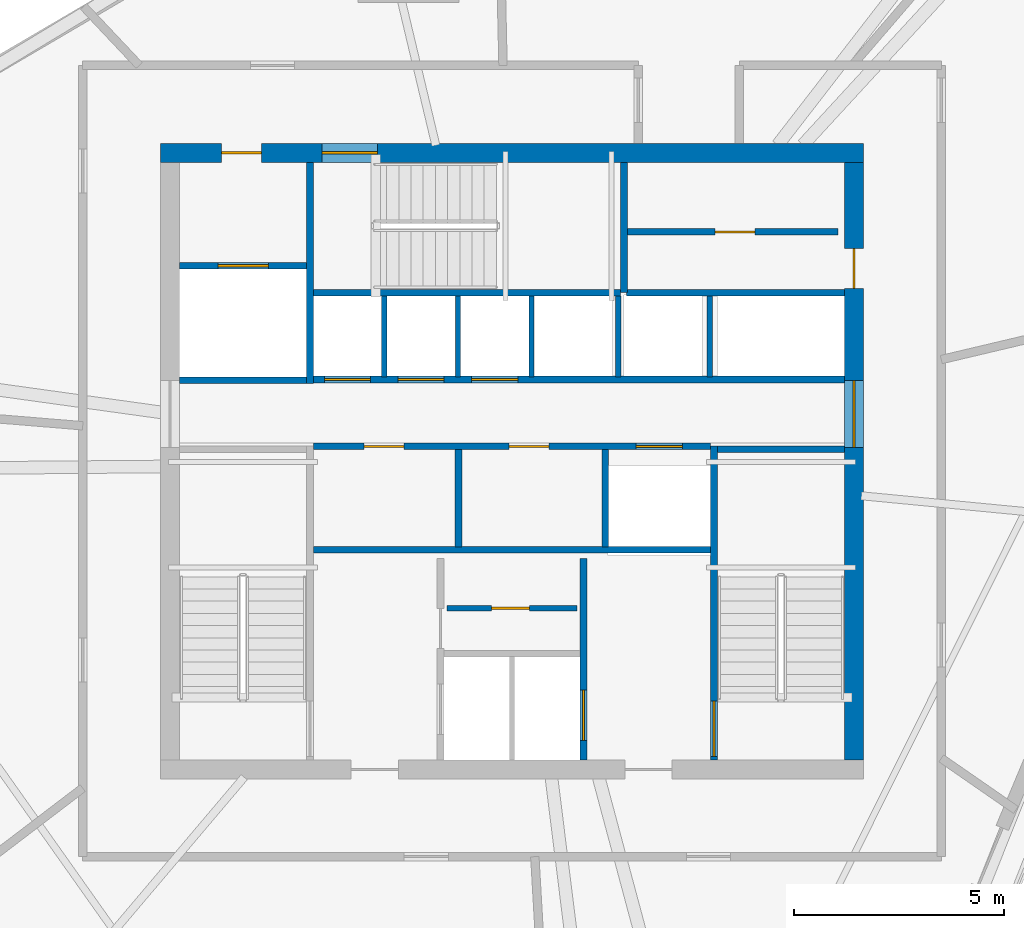
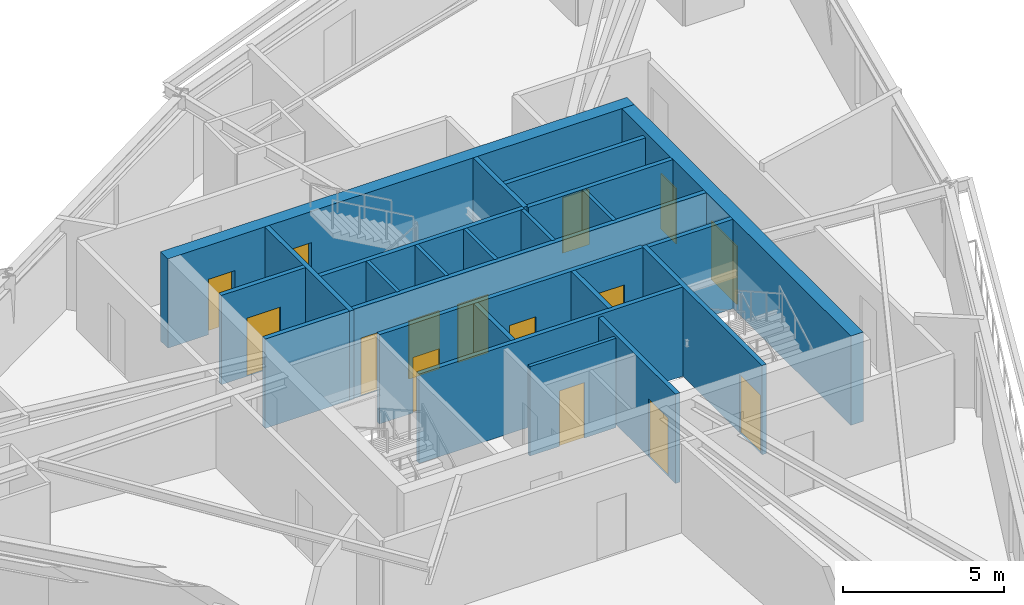
# One storey, part 9 of 14: 23 walls, 15 doors, 15 openings.
"""IFC4 building model written with IfcOpenShell, lengths in metres."""

from ifc_helpers import new_model, si_unit, direction, frame, frame_2d, origin, place, context, subcontext, project, spatial, rectangle, extrude, source, transform, mapped, material, layer, layer_set, type_object, type_shapes, element, fill, save


model = new_model("IFC4")

# Units and contexts
model_context = context("Model", 3, precision=1e-05, world=origin(), true_north=direction((0.0, 1.0)))
body_context = subcontext(model_context, "Body", "Model", "MODEL_VIEW")
ifc_project = project(units=[si_unit("LENGTHUNIT", "METRE"), si_unit("AREAUNIT", "SQUARE_METRE"), si_unit("VOLUMEUNIT", "CUBIC_METRE"), si_unit("PLANEANGLEUNIT", "RADIAN"), si_unit("MASSUNIT", "GRAM", prefix="KILO")], contexts=[model_context])

# Site, building, storey
site_placement = place(None, origin())
site = spatial("IfcSite", under=ifc_project, at=site_placement, CompositionType="ELEMENT")
building_placement = place(site_placement, origin())
building = spatial("IfcBuilding", under=site, at=building_placement, Name="Olszyna Solenne Hotel", CompositionType="ELEMENT")
storey_placement = place(building_placement, frame((0.0, 0.0, 234.5)))
storey = spatial("IfcBuildingStorey", under=building, at=storey_placement, Name="L62", CompositionType="ELEMENT", Elevation=234.5)

# Wall, openings, doors
ifc_material_1 = material(Name="Concrete C50/60", Category="concrete")
ifc_layer_1 = layer(ifc_material_1, 0.449951171875, Name="Concrete C50/60")
ifc_layer_set_1 = layer_set([ifc_layer_1], Name="Concrete C50/60")
wall_type_1 = type_object("IfcWallType", Name="WL-CR450", PredefinedType="SHEAR", material=ifc_layer_set_1)
wall_1_placement = place(storey_placement, frame((29.64990234375, 33.925048828125, 0.0), z_axis=(0.0, 0.0, 1.0), x_axis=(1.0, 0.0, 0.0)))
wall_1 = element("IfcWall", 1, at=wall_1_placement, inside=storey, type_object=wall_type_1, Name="Core shear wall WL-CR450 CRW-L62-N", PredefinedType="SHEAR", context=body_context, shape_type="SweptSolid", body=[
    extrude(rectangle(XDim=16.7001953125, YDim=0.449951171875, at=frame_2d((8.35009765625, 0.0))), origin(), (0.0, 0.0, 1.0), 3.3798828125),
])
opening_1_placement = place(wall_1_placement, frame((1.449951171875, 0.0, 0.0)))
opening_1 = element("IfcOpeningElement", 2, at=opening_1_placement, cuts=wall_1, Name="Opening SVD-L62-01", PredefinedType="OPENING", context=body_context, shape_type="SweptSolid", body=[
    extrude(rectangle(XDim=0.949951171875, YDim=2.10009765625, at=frame_2d((0.47509765625, 1.050048828125))), frame((0.0, 0.23486328125, 0.0), z_axis=(0.0, -1.0, 0.0), x_axis=(1.0, 0.0, 0.0)), (0.0, 0.0, 1.0), 0.469970703125),
])
opening_2_placement = place(wall_1_placement, frame((3.830078125, 0.0, 0.0)))
opening_2 = element("IfcOpeningElement", 3, at=opening_2_placement, cuts=wall_1, Name="Opening STD-L62-03", PredefinedType="OPENING", context=body_context, shape_type="SweptSolid", body=[
    extrude(rectangle(XDim=1.320068359375, YDim=2.199951171875, at=frame_2d((0.66015625, 1.10009765625))), frame((0.0, 0.23486328125, 0.0), z_axis=(0.0, -1.0, 0.0), x_axis=(1.0, 0.0, 0.0)), (0.0, 0.0, 1.0), 0.469970703125),
])
ifc_material_2 = material(Name="Steel S355J2", Category="steel")
door_type_1 = type_object("IfcDoorType", Name="DR-ST1", OperationType="NOTDEFINED", PredefinedType="DOOR", material=ifc_material_2)
shared_shape_1 = source(origin(), body_context, "Body", "SweptSolid", [
    extrude(rectangle(XDim=1.320068359375, YDim=2.199951171875, at=frame_2d((0.66015625, 1.10009765625))), frame((0.0, 0.02490234375, 0.0), z_axis=(0.0, -1.0, 0.0), x_axis=(1.0, 0.0, 0.0)), (0.0, 0.0, 1.0), 0.050048828125),
])
type_shapes(door_type_1, [shared_shape_1])
door_1_placement = place(opening_2_placement, origin())
door_1 = element("IfcDoor", 4, at=door_1_placement, inside=storey, type_object=door_type_1, Name="Pressurised exit stair ST3 fire door STD-L62-03", OperationType="SINGLE_SWING_RIGHT", OverallHeight=2.199951171875, OverallWidth=1.320068359375, PredefinedType="DOOR", context=body_context, shape_type="MappedRepresentation", body=[
    mapped(shared_shape_1, transform((0.0, 0.0, 0.0), x_axis=(1.0, 0.0, 0.0), y_axis=(0.0, 1.0, 0.0), z_axis=(0.0, 0.0, 1.0), scale=1.0)),
])
fill(opening_2, door_1)
door_type_2 = type_object("IfcDoorType", Name="DR-SV1", OperationType="NOTDEFINED", PredefinedType="DOOR", material=ifc_material_2)
shared_shape_2 = source(origin(), body_context, "Body", "SweptSolid", [
    extrude(rectangle(XDim=0.949951171875, YDim=2.10009765625, at=frame_2d((0.47509765625, 1.050048828125))), frame((0.0, 0.02490234375, 0.0), z_axis=(0.0, -1.0, 0.0), x_axis=(1.0, 0.0, 0.0)), (0.0, 0.0, 1.0), 0.050048828125),
])
type_shapes(door_type_2, [shared_shape_2])
door_2_placement = place(opening_1_placement, origin())
door_2 = element("IfcDoor", 5, at=door_2_placement, inside=storey, type_object=door_type_2, Name="Service lift lobby fire door SVD-L62-01", OperationType="SINGLE_SWING_LEFT", OverallHeight=2.10009765625, OverallWidth=0.949951171875, PredefinedType="DOOR", context=body_context, shape_type="MappedRepresentation", body=[
    mapped(shared_shape_2, transform((0.0, 0.0, 0.0), x_axis=(1.0, 0.0, 0.0), y_axis=(0.0, 1.0, 0.0), z_axis=(0.0, 0.0, 1.0), scale=1.0)),
])
fill(opening_1, door_2)

wall_2_placement = place(storey_placement, frame((46.125, 33.699951171875, 0.0), z_axis=(0.0, 0.0, 1.0), x_axis=(0.0, -1.0, 0.0)))
wall_2 = element("IfcWall", 6, at=wall_2_placement, inside=storey, type_object=wall_type_1, Name="Core shear wall WL-CR450 CRW-L62-E", PredefinedType="SHEAR", context=body_context, shape_type="SweptSolid", body=[
    extrude(rectangle(XDim=14.199951171875, YDim=0.449951171875, at=frame_2d((7.10009765625, 0.0))), origin(), (0.0, 0.0, 1.0), 3.3798828125),
])
opening_3_placement = place(wall_2_placement, frame((5.179931640625, 0.0, 0.0)))
opening_3 = element("IfcOpeningElement", 7, at=opening_3_placement, cuts=wall_2, Name="Opening LHD-L62-E", PredefinedType="OPENING", context=body_context, shape_type="SweptSolid", body=[
    extrude(rectangle(XDim=1.60009765625, YDim=2.199951171875, at=frame_2d((0.800048828125, 1.10009765625))), frame((0.0, 0.23486328125, 0.0), z_axis=(0.0, -1.0, 0.0), x_axis=(1.0, 0.0, 0.0)), (0.0, 0.0, 1.0), 0.469970703125),
])
opening_4_placement = place(wall_2_placement, frame((2.050048828125, 0.0, 0.0)))
opening_4 = element("IfcOpeningElement", 8, at=opening_4_placement, cuts=wall_2, Name="Opening SVD-L62-BE", PredefinedType="OPENING", context=body_context, shape_type="SweptSolid", body=[
    extrude(rectangle(XDim=0.949951171875, YDim=2.10009765625, at=frame_2d((0.47509765625, 1.050048828125))), frame((0.0, 0.23486328125, 0.0), z_axis=(0.0, -1.0, 0.0), x_axis=(1.0, 0.0, 0.0)), (0.0, 0.0, 1.0), 0.469970703125),
])
door_3_placement = place(opening_4_placement, origin())
door_3 = element("IfcDoor", 9, at=door_3_placement, inside=storey, type_object=door_type_2, Name="Housekeeping core fire door SVD-L62-BE", OperationType="SINGLE_SWING_RIGHT", OverallHeight=2.10009765625, OverallWidth=0.949951171875, PredefinedType="DOOR", context=body_context, shape_type="MappedRepresentation", body=[
    mapped(shared_shape_2, transform((0.0, 0.0, 0.0), x_axis=(1.0, 0.0, 0.0), y_axis=(0.0, 1.0, 0.0), z_axis=(0.0, 0.0, 1.0), scale=1.0)),
])
fill(opening_4, door_3)
ifc_material_3 = material(Name="Timber hardwood", Category="wood")
door_type_3 = type_object("IfcDoorType", Name="DR-CR1", OperationType="DOUBLE_DOOR_SINGLE_SWING", PredefinedType="DOOR", material=ifc_material_3)
shared_shape_3 = source(origin(), body_context, "Body", "SweptSolid", [
    extrude(rectangle(XDim=1.60009765625, YDim=2.199951171875, at=frame_2d((0.800048828125, 1.10009765625))), frame((0.0, 0.02490234375, 0.0), z_axis=(0.0, -1.0, 0.0), x_axis=(1.0, 0.0, 0.0)), (0.0, 0.0, 1.0), 0.050048828125),
])
type_shapes(door_type_3, [shared_shape_3])
door_4_placement = place(opening_3_placement, origin())
door_4 = element("IfcDoor", 10, at=door_4_placement, inside=storey, type_object=door_type_3, Name="Passenger lift lobby East fire door LHD-L62-E", OperationType="DOUBLE_DOOR_SINGLE_SWING", OverallHeight=2.199951171875, OverallWidth=1.60009765625, PredefinedType="DOOR", context=body_context, shape_type="MappedRepresentation", body=[
    mapped(shared_shape_3, transform((0.0, 0.0, 0.0), x_axis=(1.0, 0.0, 0.0), y_axis=(0.0, 1.0, 0.0), z_axis=(0.0, 0.0, 1.0), scale=1.0)),
])
fill(opening_3, door_4)

# Wall, opening, door
ifc_material_4 = material(Name="Acoustic gypsum partition", Category="gypsum")
ifc_layer_2 = layer(ifc_material_4, 0.125, Name="Acoustic gypsum partition")
ifc_layer_set_2 = layer_set([ifc_layer_2], Name="Acoustic gypsum partition")
wall_type_2 = type_object("IfcWallType", Name="WL-PT125", PredefinedType="PARTITIONING", material=ifc_layer_set_2)
wall_3_placement = place(storey_placement, frame((36.4599609375, 23.10205078125, 0.0), z_axis=(0.0, 0.0, 1.0), x_axis=(1.0, 0.0, 0.0)))
wall_3 = element("IfcWall", 11, at=wall_3_placement, inside=storey, type_object=wall_type_2, Name="Core shaft compartment wall CW-L62-SC2", PredefinedType="PARTITIONING", context=body_context, shape_type="SweptSolid", body=[
    extrude(rectangle(XDim=3.080078125, YDim=0.125, at=frame_2d((1.5400390625, 0.0))), origin(), (0.0, 0.0, 1.0), 3.3798828125),
])
opening_5_placement = place(wall_3_placement, frame((1.050048828125, 0.0, 0.0)))
opening_5 = element("IfcOpeningElement", 12, at=opening_5_placement, cuts=wall_3, Name="Opening SVD-L62-SC2", PredefinedType="OPENING", context=body_context, shape_type="SweptSolid", body=[
    extrude(rectangle(XDim=0.89990234375, YDim=2.10009765625, at=frame_2d((0.449951171875, 1.050048828125))), frame((0.0, 0.072509765625, 0.0), z_axis=(0.0, -1.0, 0.0), x_axis=(1.0, 0.0, 0.0)), (0.0, 0.0, 1.0), 0.14501953125),
])
door_type_4 = type_object("IfcDoorType", Name="DR-WC1", OperationType="NOTDEFINED", PredefinedType="DOOR", material=ifc_material_3)
shared_shape_4 = source(origin(), body_context, "Body", "SweptSolid", [
    extrude(rectangle(XDim=0.89990234375, YDim=2.10009765625, at=frame_2d((0.449951171875, 1.050048828125))), frame((0.0, 0.02490234375, 0.0), z_axis=(0.0, -1.0, 0.0), x_axis=(1.0, 0.0, 0.0)), (0.0, 0.0, 1.0), 0.050048828125),
])
type_shapes(door_type_4, [shared_shape_4])
door_5_placement = place(opening_5_placement, origin())
door_5 = element("IfcDoor", 13, at=door_5_placement, inside=storey, type_object=door_type_4, Name="Butler pantry door SVD-L62-SC2", OperationType="SINGLE_SWING_RIGHT", OverallHeight=2.10009765625, OverallWidth=0.89990234375, PredefinedType="DOOR", context=body_context, shape_type="MappedRepresentation", body=[
    mapped(shared_shape_4, transform((0.0, 0.0, 0.0), x_axis=(1.0, 0.0, 0.0), y_axis=(0.0, 1.0, 0.0), z_axis=(0.0, 0.0, 1.0), scale=1.0)),
])
fill(opening_5, door_5)

# Walls
for number, where, z_axis, x_axis, name in (
    (14, (34.965087890625, 28.60009765625, 0.0), (0.0, 0.0, 1.0), (0.0, 1.0, 0.0), "Core shaft compartment wall CW-L62-DIVN349"),
    (15, (36.715087890625, 28.60009765625, 0.0), (0.0, 0.0, 1.0), (0.0, 1.0, 0.0), "Core shaft compartment wall CW-L62-DIVN367"),
    (16, (38.465087890625, 28.60009765625, 0.0), (0.0, 0.0, 1.0), (0.0, 1.0, 0.0), "Core shaft compartment wall CW-L62-DIVN384"),
    (17, (40.52490234375, 28.60009765625, 0.0), (0.0, 0.0, 1.0), (0.0, 1.0, 0.0), "Core shaft compartment wall CW-L62-DIVEX405"),
    (18, (42.699951171875, 28.60009765625, 0.0), (0.0, 0.0, 1.0), (0.0, 1.0, 0.0), "Core shaft compartment wall CW-L62-DIVEX427"),
):
    element("IfcWall", number, at=place(storey_placement, frame(where, z_axis=z_axis, x_axis=x_axis)), inside=storey, type_object=wall_type_2, Name=name, PredefinedType="PARTITIONING", context=body_context, shape_type="SweptSolid", body=[
        extrude(rectangle(XDim=1.919921875, YDim=0.125, at=frame_2d((0.9599609375, 0.0))), origin(), (0.0, 0.0, 1.0), 3.3798828125),
    ])

# Wall, opening, door
ifc_layer_3 = layer(ifc_material_4, 0.159912109375, Name="Acoustic gypsum partition")
ifc_layer_set_3 = layer_set([ifc_layer_3], Name="Acoustic gypsum partition")
wall_type_3 = type_object("IfcWallType", Name="WL-PT160", PredefinedType="PARTITIONING", material=ifc_layer_set_3)
wall_4_placement = place(storey_placement, frame((42.800048828125, 26.9599609375, 0.0), z_axis=(0.0, 0.0, 1.0), x_axis=(0.0, -1.0, 0.0)))
wall_4 = element("IfcWall", 19, at=wall_4_placement, inside=storey, type_object=wall_type_3, Name="Core shaft compartment wall CW-L62-ST2W", PredefinedType="PARTITIONING", context=body_context, shape_type="SweptSolid", body=[
    extrude(rectangle(XDim=7.4599609375, YDim=0.159912109375, at=frame_2d((3.72998046875, 0.0))), origin(), (0.0, 0.0, 1.0), 3.3798828125),
])
opening_6_placement = place(wall_4_placement, frame((6.06005859375, 0.0, 0.0)))
opening_6 = element("IfcOpeningElement", 20, at=opening_6_placement, cuts=wall_4, Name="Opening STD-L62-02", PredefinedType="OPENING", context=body_context, shape_type="SweptSolid", body=[
    extrude(rectangle(XDim=1.320068359375, YDim=2.199951171875, at=frame_2d((0.66015625, 1.10009765625))), frame((0.0, 0.08984375, 0.0), z_axis=(0.0, -1.0, 0.0), x_axis=(1.0, 0.0, 0.0)), (0.0, 0.0, 1.0), 0.179931640625),
])
door_6_placement = place(opening_6_placement, origin())
door_6 = element("IfcDoor", 21, at=door_6_placement, inside=storey, type_object=door_type_1, Name="Pressurised exit stair ST2 fire door STD-L62-02", OperationType="SINGLE_SWING_RIGHT", OverallHeight=2.199951171875, OverallWidth=1.320068359375, PredefinedType="DOOR", context=body_context, shape_type="MappedRepresentation", body=[
    mapped(shared_shape_1, transform((0.0, 0.0, 0.0), x_axis=(1.0, 0.0, 0.0), y_axis=(0.0, 1.0, 0.0), z_axis=(0.0, 0.0, 1.0), scale=1.0)),
])
fill(opening_6, door_6)

# Walls
wall_5_placement = place(storey_placement, frame((42.8798828125, 26.8798828125, 0.0), z_axis=(0.0, 0.0, 1.0), x_axis=(1.0, 0.0, 0.0)))
element("IfcWall", 22, at=wall_5_placement, inside=storey, type_object=wall_type_3, Name="Core shaft compartment wall CW-L62-ST2N", PredefinedType="PARTITIONING", context=body_context, shape_type="SweptSolid", body=[
    extrude(rectangle(XDim=3.02001953125, YDim=0.159912109375, at=frame_2d((1.510009765625, 0.0))), origin(), (0.0, 0.0, 1.0), 3.3798828125),
])
wall_6_placement = place(storey_placement, frame((33.280029296875, 30.60009765625, 0.0), z_axis=(0.0, 0.0, 1.0), x_axis=(1.0, 0.0, 0.0)))
element("IfcWall", 23, at=wall_6_placement, inside=storey, type_object=wall_type_3, Name="Core shaft compartment wall CW-L62-ST3S", PredefinedType="PARTITIONING", context=body_context, shape_type="SweptSolid", body=[
    extrude(rectangle(XDim=7.300048828125, YDim=0.159912109375, at=frame_2d((3.64990234375, 0.0))), origin(), (0.0, 0.0, 1.0), 3.3798828125),
])
wall_7_placement = place(storey_placement, frame((40.659912109375, 30.60009765625, 0.0), z_axis=(0.0, 0.0, 1.0), x_axis=(0.0, 1.0, 0.0)))
element("IfcWall", 24, at=wall_7_placement, inside=storey, type_object=wall_type_3, Name="Core shaft compartment wall CW-L62-ST3E", PredefinedType="PARTITIONING", context=body_context, shape_type="SweptSolid", body=[
    extrude(rectangle(XDim=3.099853515625, YDim=0.159912109375, at=frame_2d((1.5498046875, 0.0))), origin(), (0.0, 0.0, 1.0), 3.3798828125),
])

# Wall, opening, door
wall_8_placement = place(storey_placement, frame((39.699951171875, 24.280029296875, 0.0), z_axis=(0.0, 0.0, 1.0), x_axis=(0.0, -1.0, 0.0)))
wall_8 = element("IfcWall", 25, at=wall_8_placement, inside=storey, type_object=wall_type_3, Name="Core shaft compartment wall CW-L62-FF2E", PredefinedType="PARTITIONING", context=body_context, shape_type="SweptSolid", body=[
    extrude(rectangle(XDim=4.780029296875, YDim=0.159912109375, at=frame_2d((2.39013671875, 0.0))), origin(), (0.0, 0.0, 1.0), 3.3798828125),
])
opening_7_placement = place(wall_8_placement, frame((3.1201171875, 0.0, 0.0)))
opening_7 = element("IfcOpeningElement", 26, at=opening_7_placement, cuts=wall_8, Name="Opening LD-L62-FF2", PredefinedType="OPENING", context=body_context, shape_type="SweptSolid", body=[
    extrude(rectangle(XDim=1.199951171875, YDim=2.199951171875, at=frame_2d((0.60009765625, 1.10009765625))), frame((0.0, 0.08984375, 0.0), z_axis=(0.0, -1.0, 0.0), x_axis=(1.0, 0.0, 0.0)), (0.0, 0.0, 1.0), 0.179931640625),
])
door_type_5 = type_object("IfcDoorType", Name="LD-FF1", OperationType="DOUBLE_DOOR_SLIDING", PredefinedType="DOOR", material=ifc_material_2)
shared_shape_5 = source(origin(), body_context, "Body", "SweptSolid", [
    extrude(rectangle(XDim=1.199951171875, YDim=2.199951171875, at=frame_2d((0.60009765625, 1.10009765625))), frame((0.0, 0.02490234375, 0.0), z_axis=(0.0, -1.0, 0.0), x_axis=(1.0, 0.0, 0.0)), (0.0, 0.0, 1.0), 0.050048828125),
])
type_shapes(door_type_5, [shared_shape_5])
door_7_placement = place(opening_7_placement, origin())
door_7 = element("IfcDoor", 27, at=door_7_placement, inside=storey, type_object=door_type_5, Name="Firefighters lift FF2 sliding landing door LD-L62-FF2", OperationType="DOUBLE_DOOR_SLIDING", OverallHeight=2.199951171875, OverallWidth=1.199951171875, PredefinedType="DOOR", context=body_context, shape_type="MappedRepresentation", body=[
    mapped(shared_shape_5, transform((0.0, 0.0, 0.0), x_axis=(1.0, 0.0, 0.0), y_axis=(0.0, 1.0, 0.0), z_axis=(0.0, 0.0, 1.0), scale=1.0)),
])
fill(opening_7, door_7)

# Walls
wall_9_placement = place(storey_placement, frame((33.280029296875, 24.489990234375, 0.0), z_axis=(0.0, 0.0, 1.0), x_axis=(1.0, 0.0, 0.0)))
element("IfcWall", 28, at=wall_9_placement, inside=storey, type_object=wall_type_3, Name="Core shaft compartment wall CW-L62-FFBN", PredefinedType="PARTITIONING", context=body_context, shape_type="SweptSolid", body=[
    extrude(rectangle(XDim=9.43994140625, YDim=0.159912109375, at=frame_2d((4.719970703125, 0.0))), origin(), (0.0, 0.0, 1.0), 3.3798828125),
])
wall_10_placement = place(storey_placement, frame((30.10009765625, 28.52001953125, 0.0), z_axis=(0.0, 0.0, 1.0), x_axis=(1.0, 0.0, 0.0)))
element("IfcWall", 29, at=wall_10_placement, inside=storey, type_object=wall_type_3, Name="Core shaft compartment wall CW-L62-SV1S", PredefinedType="PARTITIONING", context=body_context, shape_type="SweptSolid", body=[
    extrude(rectangle(XDim=3.02001953125, YDim=0.159912109375, at=frame_2d((1.510009765625, 0.0))), origin(), (0.0, 0.0, 1.0), 3.3798828125),
])
wall_11_placement = place(storey_placement, frame((33.199951171875, 28.43994140625, 0.0), z_axis=(0.0, 0.0, 1.0), x_axis=(0.0, 1.0, 0.0)))
element("IfcWall", 30, at=wall_11_placement, inside=storey, type_object=wall_type_3, Name="Core shaft compartment wall CW-L62-SV1E", PredefinedType="PARTITIONING", context=body_context, shape_type="SweptSolid", body=[
    extrude(rectangle(XDim=5.260009765625, YDim=0.159912109375, at=frame_2d((2.6298828125, 0.0))), origin(), (0.0, 0.0, 1.0), 3.3798828125),
])

# Wall, opening, door
wall_12_placement = place(storey_placement, frame((30.10009765625, 31.239990234375, 0.0), z_axis=(0.0, 0.0, 1.0), x_axis=(1.0, 0.0, 0.0)))
wall_12 = element("IfcWall", 31, at=wall_12_placement, inside=storey, type_object=wall_type_3, Name="Core shaft compartment wall CW-L62-SV1N", PredefinedType="PARTITIONING", context=body_context, shape_type="SweptSolid", body=[
    extrude(rectangle(XDim=3.02001953125, YDim=0.159912109375, at=frame_2d((1.510009765625, 0.0))), origin(), (0.0, 0.0, 1.0), 3.3798828125),
])
opening_8_placement = place(wall_12_placement, frame((0.909912109375, 0.0, 0.0)))
opening_8 = element("IfcOpeningElement", 32, at=opening_8_placement, cuts=wall_12, Name="Opening LD-L62-SV1", PredefinedType="OPENING", context=body_context, shape_type="SweptSolid", body=[
    extrude(rectangle(XDim=1.199951171875, YDim=2.199951171875, at=frame_2d((0.60009765625, 1.10009765625))), frame((0.0, 0.08984375, 0.0), z_axis=(0.0, -1.0, 0.0), x_axis=(1.0, 0.0, 0.0)), (0.0, 0.0, 1.0), 0.179931640625),
])
door_8_placement = place(opening_8_placement, origin())
door_8 = element("IfcDoor", 33, at=door_8_placement, inside=storey, type_object=door_type_5, Name="Service lift SV1 sliding landing door LD-L62-SV1", OperationType="DOUBLE_DOOR_SLIDING", OverallHeight=2.199951171875, OverallWidth=1.199951171875, PredefinedType="DOOR", context=body_context, shape_type="MappedRepresentation", body=[
    mapped(shared_shape_5, transform((0.0, 0.0, 0.0), x_axis=(1.0, 0.0, 0.0), y_axis=(0.0, 1.0, 0.0), z_axis=(0.0, 0.0, 1.0), scale=1.0)),
])
fill(opening_8, door_8)

# Wall, openings, doors
wall_13_placement = place(storey_placement, frame((33.280029296875, 26.949951171875, 0.0), z_axis=(0.0, 0.0, 1.0), x_axis=(1.0, 0.0, 0.0)))
wall_13 = element("IfcWall", 34, at=wall_13_placement, inside=storey, type_object=wall_type_3, Name="Core shaft compartment wall CW-L62-LRS", PredefinedType="PARTITIONING", context=body_context, shape_type="SweptSolid", body=[
    extrude(rectangle(XDim=9.43994140625, YDim=0.159912109375, at=frame_2d((4.719970703125, 0.0))), origin(), (0.0, 0.0, 1.0), 3.3798828125),
])
opening_9_placement = place(wall_13_placement, frame((1.199951171875, 0.0, 0.0)))
opening_9 = element("IfcOpeningElement", 35, at=opening_9_placement, cuts=wall_13, Name="Opening SVD-L62-L71", PredefinedType="OPENING", context=body_context, shape_type="SweptSolid", body=[
    extrude(rectangle(XDim=0.949951171875, YDim=2.10009765625, at=frame_2d((0.47509765625, 1.050048828125))), frame((0.0, 0.08984375, 0.0), z_axis=(0.0, -1.0, 0.0), x_axis=(1.0, 0.0, 0.0)), (0.0, 0.0, 1.0), 0.179931640625),
])
opening_10_placement = place(wall_13_placement, frame((4.64990234375, 0.0, 0.0)))
opening_10 = element("IfcOpeningElement", 36, at=opening_10_placement, cuts=wall_13, Name="Opening SVD-L62-L72", PredefinedType="OPENING", context=body_context, shape_type="SweptSolid", body=[
    extrude(rectangle(XDim=0.949951171875, YDim=2.10009765625, at=frame_2d((0.47509765625, 1.050048828125))), frame((0.0, 0.08984375, 0.0), z_axis=(0.0, -1.0, 0.0), x_axis=(1.0, 0.0, 0.0)), (0.0, 0.0, 1.0), 0.179931640625),
])
opening_11_placement = place(wall_13_placement, frame((7.669921875, 0.0, 0.0)))
opening_11 = element("IfcOpeningElement", 37, at=opening_11_placement, cuts=wall_13, Name="Opening LD-L62-PL5", PredefinedType="OPENING", context=body_context, shape_type="SweptSolid", body=[
    extrude(rectangle(XDim=1.10009765625, YDim=2.199951171875, at=frame_2d((0.550048828125, 1.10009765625))), frame((0.0, 0.08984375, 0.0), z_axis=(0.0, -1.0, 0.0), x_axis=(1.0, 0.0, 0.0)), (0.0, 0.0, 1.0), 0.179931640625),
])
door_9_placement = place(opening_9_placement, origin())
door_9 = element("IfcDoor", 38, at=door_9_placement, inside=storey, type_object=door_type_2, Name="Recaptured core room fire door SVD-L62-L71", OperationType="SINGLE_SWING_LEFT", OverallHeight=2.10009765625, OverallWidth=0.949951171875, PredefinedType="DOOR", context=body_context, shape_type="MappedRepresentation", body=[
    mapped(shared_shape_2, transform((0.0, 0.0, 0.0), x_axis=(1.0, 0.0, 0.0), y_axis=(0.0, 1.0, 0.0), z_axis=(0.0, 0.0, 1.0), scale=1.0)),
])
fill(opening_9, door_9)
door_10_placement = place(opening_10_placement, origin())
door_10 = element("IfcDoor", 39, at=door_10_placement, inside=storey, type_object=door_type_2, Name="Recaptured core room fire door SVD-L62-L72", OperationType="SINGLE_SWING_RIGHT", OverallHeight=2.10009765625, OverallWidth=0.949951171875, PredefinedType="DOOR", context=body_context, shape_type="MappedRepresentation", body=[
    mapped(shared_shape_2, transform((0.0, 0.0, 0.0), x_axis=(1.0, 0.0, 0.0), y_axis=(0.0, 1.0, 0.0), z_axis=(0.0, 0.0, 1.0), scale=1.0)),
])
fill(opening_10, door_10)
door_type_6 = type_object("IfcDoorType", Name="LD-P1", OperationType="DOUBLE_DOOR_SLIDING", PredefinedType="DOOR", material=ifc_material_2)
shared_shape_6 = source(origin(), body_context, "Body", "SweptSolid", [
    extrude(rectangle(XDim=1.10009765625, YDim=2.199951171875, at=frame_2d((0.550048828125, 1.10009765625))), frame((0.0, 0.02490234375, 0.0), z_axis=(0.0, -1.0, 0.0), x_axis=(1.0, 0.0, 0.0)), (0.0, 0.0, 1.0), 0.050048828125),
])
type_shapes(door_type_6, [shared_shape_6])
door_11_placement = place(opening_11_placement, origin())
door_11 = element("IfcDoor", 40, at=door_11_placement, inside=storey, type_object=door_type_6, Name="Passenger lift PL5 sliding landing door LD-L62-PL5", OperationType="DOUBLE_DOOR_SLIDING", OverallHeight=2.199951171875, OverallWidth=1.10009765625, PredefinedType="DOOR", context=body_context, shape_type="MappedRepresentation", body=[
    mapped(shared_shape_6, transform((0.0, 0.0, 0.0), x_axis=(1.0, 0.0, 0.0), y_axis=(0.0, 1.0, 0.0), z_axis=(0.0, 0.0, 1.0), scale=1.0)),
])
fill(opening_11, door_11)

# Walls
for number, where, z_axis, x_axis, name in (
    (41, (36.72998046875, 24.56005859375, 0.0), (0.0, 0.0, 1.0), (0.0, 1.0, 0.0), "Core shaft compartment wall CW-L62-LV7DIV1"),
    (42, (40.215087890625, 24.56005859375, 0.0), (0.0, 0.0, 1.0), (0.0, 1.0, 0.0), "Core shaft compartment wall CW-L62-LV7DIV2"),
):
    element("IfcWall", number, at=place(storey_placement, frame(where, z_axis=z_axis, x_axis=x_axis)), inside=storey, type_object=wall_type_3, Name=name, PredefinedType="PARTITIONING", context=body_context, shape_type="SweptSolid", body=[
        extrude(rectangle(XDim=2.31005859375, YDim=0.159912109375, at=frame_2d((1.155029296875, 0.0))), origin(), (0.0, 0.0, 1.0), 3.3798828125),
    ])

# Wall, openings, doors
wall_14_placement = place(storey_placement, frame((33.280029296875, 28.5400390625, 0.0), z_axis=(0.0, 0.0, 1.0), x_axis=(1.0, 0.0, 0.0)))
wall_14 = element("IfcWall", 43, at=wall_14_placement, inside=storey, type_object=wall_type_3, Name="Core shaft compartment wall CW-L62-LRN", PredefinedType="PARTITIONING", context=body_context, shape_type="SweptSolid", body=[
    extrude(rectangle(XDim=12.619873046875, YDim=0.159912109375, at=frame_2d((6.31005859375, 0.0))), origin(), (0.0, 0.0, 1.0), 3.3798828125),
])
opening_12_placement = place(wall_14_placement, frame((0.260009765625, 0.0, 0.0)))
opening_12 = element("IfcOpeningElement", 44, at=opening_12_placement, cuts=wall_14, Name="Opening LD-L62-PL6", PredefinedType="OPENING", context=body_context, shape_type="SweptSolid", body=[
    extrude(rectangle(XDim=1.10009765625, YDim=2.199951171875, at=frame_2d((0.550048828125, 1.10009765625))), frame((0.0, 0.08984375, 0.0), z_axis=(0.0, -1.0, 0.0), x_axis=(1.0, 0.0, 0.0)), (0.0, 0.0, 1.0), 0.179931640625),
])
opening_13_placement = place(wall_14_placement, frame((2.010009765625, 0.0, 0.0)))
opening_13 = element("IfcOpeningElement", 45, at=opening_13_placement, cuts=wall_14, Name="Opening LD-L62-PL7", PredefinedType="OPENING", context=body_context, shape_type="SweptSolid", body=[
    extrude(rectangle(XDim=1.10009765625, YDim=2.199951171875, at=frame_2d((0.550048828125, 1.10009765625))), frame((0.0, 0.08984375, 0.0), z_axis=(0.0, -1.0, 0.0), x_axis=(1.0, 0.0, 0.0)), (0.0, 0.0, 1.0), 0.179931640625),
])
opening_14_placement = place(wall_14_placement, frame((3.760009765625, 0.0, 0.0)))
opening_14 = element("IfcOpeningElement", 46, at=opening_14_placement, cuts=wall_14, Name="Opening LD-L62-PL8", PredefinedType="OPENING", context=body_context, shape_type="SweptSolid", body=[
    extrude(rectangle(XDim=1.10009765625, YDim=2.199951171875, at=frame_2d((0.550048828125, 1.10009765625))), frame((0.0, 0.08984375, 0.0), z_axis=(0.0, -1.0, 0.0), x_axis=(1.0, 0.0, 0.0)), (0.0, 0.0, 1.0), 0.179931640625),
])
door_12_placement = place(opening_12_placement, origin())
door_12 = element("IfcDoor", 47, at=door_12_placement, inside=storey, type_object=door_type_6, Name="Passenger lift PL6 sliding landing door LD-L62-PL6", OperationType="DOUBLE_DOOR_SLIDING", OverallHeight=2.199951171875, OverallWidth=1.10009765625, PredefinedType="DOOR", context=body_context, shape_type="MappedRepresentation", body=[
    mapped(shared_shape_6, transform((0.0, 0.0, 0.0), x_axis=(1.0, 0.0, 0.0), y_axis=(0.0, 1.0, 0.0), z_axis=(0.0, 0.0, 1.0), scale=1.0)),
])
fill(opening_12, door_12)
door_13_placement = place(opening_13_placement, origin())
door_13 = element("IfcDoor", 48, at=door_13_placement, inside=storey, type_object=door_type_6, Name="Passenger lift PL7 sliding landing door LD-L62-PL7", OperationType="DOUBLE_DOOR_SLIDING", OverallHeight=2.199951171875, OverallWidth=1.10009765625, PredefinedType="DOOR", context=body_context, shape_type="MappedRepresentation", body=[
    mapped(shared_shape_6, transform((0.0, 0.0, 0.0), x_axis=(1.0, 0.0, 0.0), y_axis=(0.0, 1.0, 0.0), z_axis=(0.0, 0.0, 1.0), scale=1.0)),
])
fill(opening_13, door_13)
door_14_placement = place(opening_14_placement, origin())
door_14 = element("IfcDoor", 49, at=door_14_placement, inside=storey, type_object=door_type_6, Name="Passenger lift PL8 sliding landing door LD-L62-PL8", OperationType="DOUBLE_DOOR_SLIDING", OverallHeight=2.199951171875, OverallWidth=1.10009765625, PredefinedType="DOOR", context=body_context, shape_type="MappedRepresentation", body=[
    mapped(shared_shape_6, transform((0.0, 0.0, 0.0), x_axis=(1.0, 0.0, 0.0), y_axis=(0.0, 1.0, 0.0), z_axis=(0.0, 0.0, 1.0), scale=1.0)),
])
fill(opening_14, door_14)

# Wall
wall_15_placement = place(storey_placement, frame((40.719970703125, 30.60009765625, 0.0), z_axis=(0.0, 0.0, 1.0), x_axis=(1.0, 0.0, 0.0)))
element("IfcWall", 50, at=wall_15_placement, inside=storey, type_object=wall_type_3, Name="Core shaft compartment wall CW-L62-LRNTOP", PredefinedType="PARTITIONING", context=body_context, shape_type="SweptSolid", body=[
    extrude(rectangle(XDim=5.179931640625, YDim=0.159912109375, at=frame_2d((2.58984375, 0.0))), origin(), (0.0, 0.0, 1.0), 3.3798828125),
])

# Wall, opening, door
wall_16_placement = place(storey_placement, frame((40.719970703125, 32.0458984375, 0.0), z_axis=(0.0, 0.0, 1.0), x_axis=(1.0, 0.0, 0.0)))
wall_16 = element("IfcWall", 51, at=wall_16_placement, inside=storey, type_object=wall_type_3, Name="Core shaft compartment wall CW-L62-BOH2", PredefinedType="PARTITIONING", context=body_context, shape_type="SweptSolid", body=[
    extrude(rectangle(XDim=5.030029296875, YDim=0.159912109375, at=frame_2d((2.51513671875, 0.0))), origin(), (0.0, 0.0, 1.0), 3.3798828125),
])
opening_15_placement = place(wall_16_placement, frame((2.10009765625, 0.0, 0.0)))
opening_15 = element("IfcOpeningElement", 52, at=opening_15_placement, cuts=wall_16, Name="Opening SVD-L62-BI2", PredefinedType="OPENING", context=body_context, shape_type="SweptSolid", body=[
    extrude(rectangle(XDim=0.949951171875, YDim=2.10009765625, at=frame_2d((0.47509765625, 1.050048828125))), frame((0.0, 0.08984375, 0.0), z_axis=(0.0, -1.0, 0.0), x_axis=(1.0, 0.0, 0.0)), (0.0, 0.0, 1.0), 0.179931640625),
])
door_15_placement = place(opening_15_placement, origin())
door_15 = element("IfcDoor", 53, at=door_15_placement, inside=storey, type_object=door_type_2, Name="BOH inter-room fire door SVD-L62-BI2", OperationType="SINGLE_SWING_RIGHT", OverallHeight=2.10009765625, OverallWidth=0.949951171875, PredefinedType="DOOR", context=body_context, shape_type="MappedRepresentation", body=[
    mapped(shared_shape_2, transform((0.0, 0.0, 0.0), x_axis=(1.0, 0.0, 0.0), y_axis=(0.0, 1.0, 0.0), z_axis=(0.0, 0.0, 1.0), scale=1.0)),
])
fill(opening_15, door_15)

save(model, "model.ifc")
